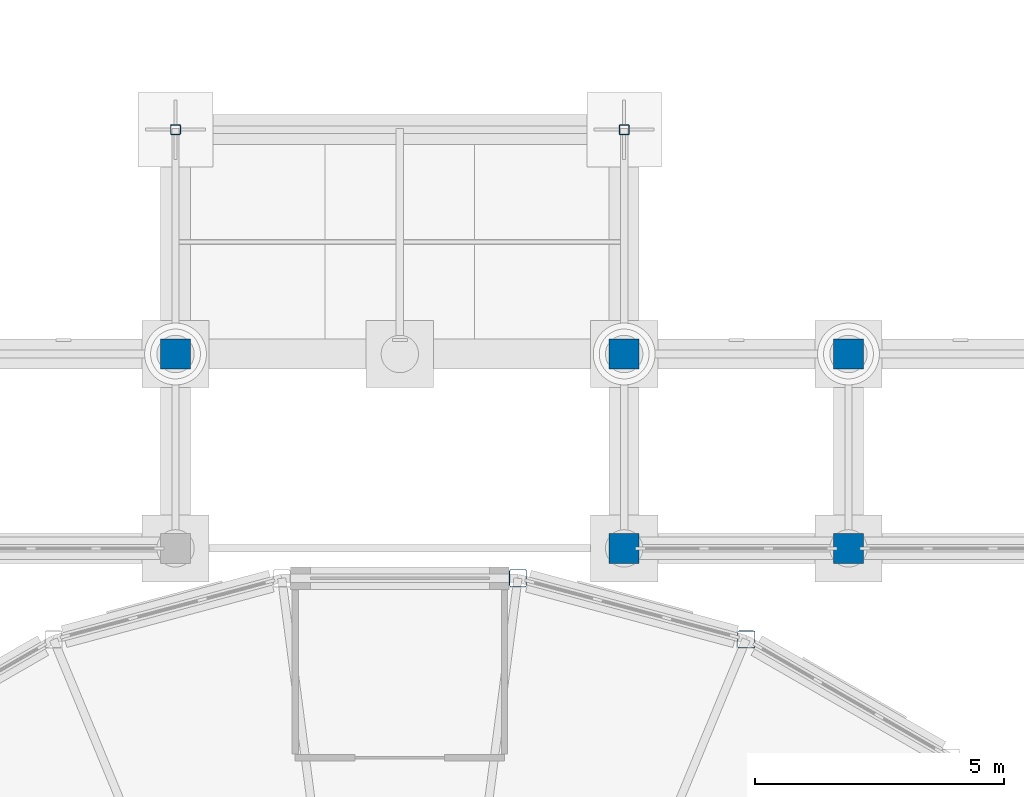
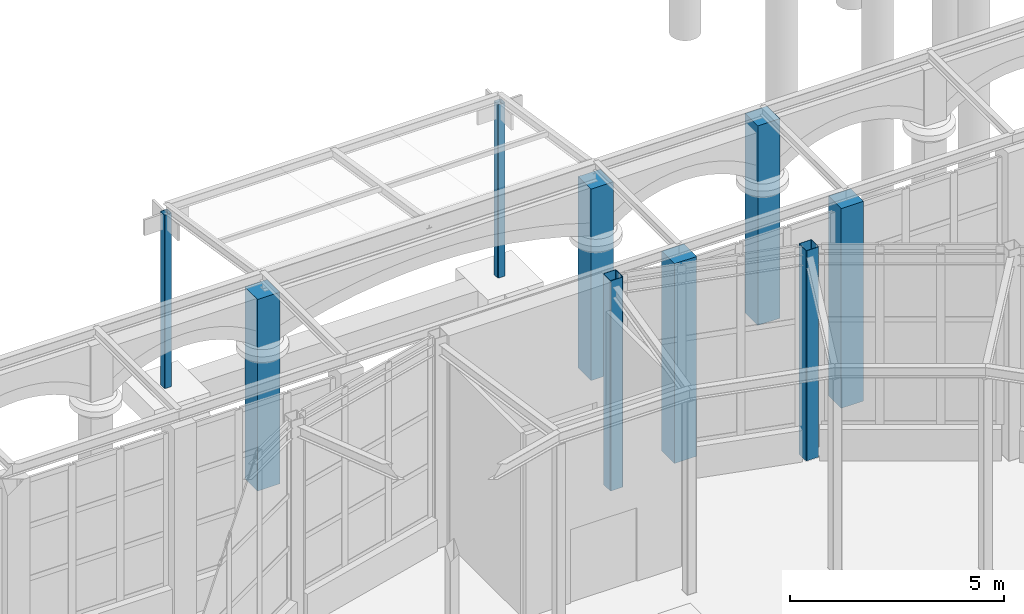
# One storey, part 13 of 106: 9 columns.
"""IFC4 building model written with IfcOpenShell, lengths in metres."""

from ifc_helpers import new_model, si_unit, direction, frame, origin, origin_2d, place, context, subcontext, project, spatial, rectangle, hollow_rectangle, extrude, material, material_profile, profile_set, type_object, element, save


model = new_model("IFC4")

# Units and contexts
model_context = context("Model", 3, precision=1e-05, world=origin(), true_north=direction((0.0, 1.0)))
body_context = subcontext(model_context, "Body", "Model", "MODEL_VIEW")
ifc_project = project(units=[si_unit("LENGTHUNIT", "METRE"), si_unit("AREAUNIT", "SQUARE_METRE"), si_unit("VOLUMEUNIT", "CUBIC_METRE"), si_unit("PLANEANGLEUNIT", "RADIAN"), si_unit("MASSUNIT", "GRAM", prefix="KILO")], contexts=[model_context])

# Site, building, storey
site_placement = place(None, origin())
site = spatial("IfcSite", under=ifc_project, at=site_placement, CompositionType="ELEMENT")
building_placement = place(site_placement, origin())
building = spatial("IfcBuilding", under=site, at=building_placement, Name="Hortulan Conservatory and Botanical Research Centre", CompositionType="ELEMENT")
storey_placement = place(building_placement, origin())
storey = spatial("IfcBuildingStorey", under=building, at=storey_placement, Name="L00", CompositionType="ELEMENT", Elevation=0.0)

# Columns
ifc_material_1 = material(Name="Steel Grade C450L0 (450 MPa, AS/NZS 1163)", Category="steel")
ifc_material_profile_1 = material_profile(ifc_material_1, hollow_rectangle(XDim=0.35009765625, YDim=0.35009765625, WallThickness=0.012451171875, InnerFilletRadius=0.018798828125, OuterFilletRadius=0.03125, at=origin_2d()), Name="350x350x12.5SHS")
ifc_profile_set_1 = profile_set([ifc_material_profile_1], Name="Steel Grade C450L0 (450 MPa, AS/NZS 1163)")
column_type_1 = type_object("IfcColumnType", Name="Dome Drum Column 350x350x12.5 SHS", PredefinedType="COLUMN", material=ifc_profile_set_1)
for number, where, z_axis, x_axis, name in (
    (1, (60.94775390625, 34.773193359375, 0.0), (0.0, 0.0, 1.0), (1.0, 0.0, 0.0), "Dome drum column 05 L00"),
    (2, (56.36962890625, 36.0, 0.0), (0.0, 0.0, 1.0), (1.0, 0.0, 0.0), "Dome drum column 06 L00"),
):
    element("IfcColumn", number, at=place(storey_placement, frame(where, z_axis=z_axis, x_axis=x_axis)), inside=storey, type_object=column_type_1, Name=name, PredefinedType="COLUMN", context=body_context, shape_type="SweptSolid", body=[
        extrude(hollow_rectangle(XDim=0.35009765625, YDim=0.35009765625, WallThickness=0.012451171875, InnerFilletRadius=0.018798828125, OuterFilletRadius=0.03125, at=origin_2d()), origin(), (0.0, 0.0, 1.0), 6.0),
    ])
ifc_material_profile_2 = material_profile(ifc_material_1, hollow_rectangle(XDim=0.199951171875, YDim=0.199951171875, WallThickness=0.009033203125, InnerFilletRadius=0.013427734375, OuterFilletRadius=0.0224609375, at=origin_2d()), Name="200x200x9SHS")
ifc_profile_set_2 = profile_set([ifc_material_profile_2], Name="Steel Grade C450L0 (450 MPa, AS/NZS 1163)")
column_type_2 = type_object("IfcColumnType", Name="Entrance Canopy Column 200x200x9 SHS", PredefinedType="COLUMN", material=ifc_profile_set_2)
for number, where, z_axis, x_axis, name in (
    (3, (49.5, 45.0, -0.199951171875), (0.0, 0.0, 1.0), (1.0, 0.0, 0.0), "Entrance canopy column 49.5"),
    (4, (58.5, 45.0, -0.199951171875), (0.0, 0.0, 1.0), (1.0, 0.0, 0.0), "Entrance canopy column 58.5"),
):
    element("IfcColumn", number, at=place(storey_placement, frame(where, z_axis=z_axis, x_axis=x_axis)), inside=storey, type_object=column_type_2, Name=name, PredefinedType="COLUMN", context=body_context, shape_type="SweptSolid", body=[
        extrude(hollow_rectangle(XDim=0.199951171875, YDim=0.199951171875, WallThickness=0.009033203125, InnerFilletRadius=0.013427734375, OuterFilletRadius=0.0224609375, at=origin_2d()), origin(), (0.0, 0.0, 1.0), 4.947998046875),
    ])
ifc_material_2 = material(Name="Sandstone masonry (25 MPa, AS 3700)", Category="masonry")
ifc_material_profile_3 = material_profile(ifc_material_2, rectangle(XDim=0.60009765625, YDim=0.60009765625, at=origin_2d()), Name="Square pier 600")
ifc_profile_set_3 = profile_set([ifc_material_profile_3], Name="Sandstone masonry (25 MPa, AS 3700)")
column_type_3 = type_object("IfcColumnType", Name="Sandstone Arcade Pier 600x600", PredefinedType="COLUMN", material=ifc_profile_set_3)
for number, where, z_axis, x_axis, name in (
    (5, (49.5, 40.5, -0.199951171875), (0.0, 0.0, 1.0), (1.0, 0.0, 0.0), "Sandstone arcade pier P-49.5-40.5 L00"),
    (6, (58.5, 40.5, -0.199951171875), (0.0, 0.0, 1.0), (1.0, 0.0, 0.0), "Sandstone arcade pier P-58.5-40.5 L00"),
):
    element("IfcColumn", number, at=place(storey_placement, frame(where, z_axis=z_axis, x_axis=x_axis)), inside=storey, type_object=column_type_3, Name=name, PredefinedType="COLUMN", context=body_context, shape_type="SweptSolid", body=[
        extrude(rectangle(XDim=0.60009765625, YDim=0.60009765625, at=origin_2d()), origin(), (0.0, 0.0, 1.0), 5.467041015625),
    ])
column_placement = place(storey_placement, frame((63.0, 40.5, -0.199951171875), z_axis=(0.0, 0.0, 1.0), x_axis=(1.0, 0.0, 0.0)))
element("IfcColumn", 7, at=column_placement, inside=storey, type_object=column_type_3, Name="Sandstone arcade pier P-63.0-40.5 L00", PredefinedType="COLUMN", context=body_context, shape_type="SweptSolid", body=[
    extrude(rectangle(XDim=0.60009765625, YDim=0.60009765625, at=origin_2d()), origin(), (0.0, 0.0, 1.0), 5.696044921875),
])
for number, where, z_axis, x_axis, name in (
    (8, (58.5, 36.60009765625, -0.199951171875), (0.0, 0.0, 1.0), (1.0, 0.0, 0.0), "Sandstone arcade pier R-58.5-36.6 L00"),
    (9, (63.0, 36.60009765625, -0.199951171875), (0.0, 0.0, 1.0), (1.0, 0.0, 0.0), "Sandstone arcade pier R-63.0-36.6 L00"),
):
    element("IfcColumn", number, at=place(storey_placement, frame(where, z_axis=z_axis, x_axis=x_axis)), inside=storey, type_object=column_type_3, Name=name, PredefinedType="COLUMN", context=body_context, shape_type="SweptSolid", body=[
        extrude(rectangle(XDim=0.60009765625, YDim=0.60009765625, at=origin_2d()), origin(), (0.0, 0.0, 1.0), 5.701904296875),
    ])

save(model, "model.ifc")
